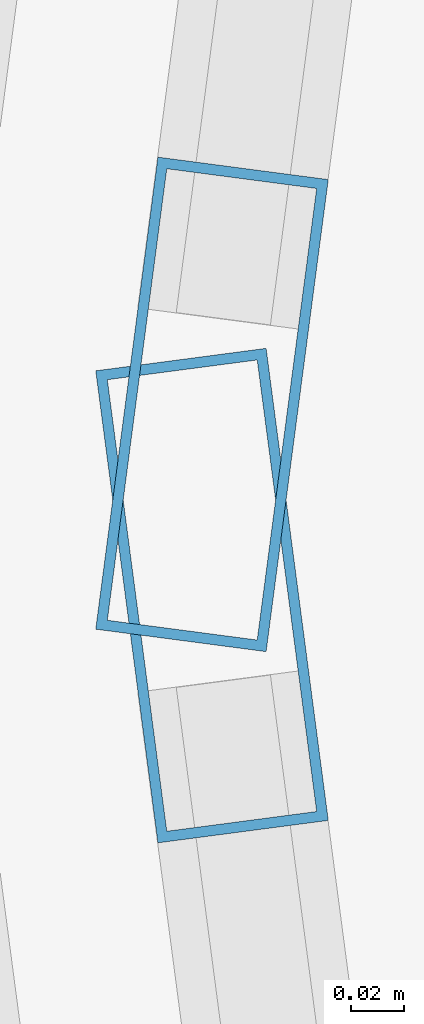
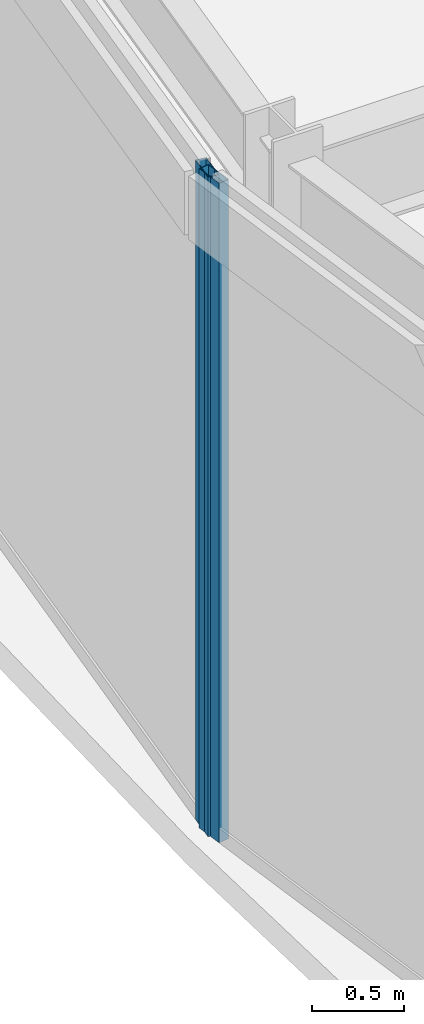
# One storey, part 27 of 133: 2 members, 2 elements without a shape of their own.
"""IFC4 building model written with IfcOpenShell, lengths in metres."""

from ifc_helpers import new_model, si_unit, direction, frame, origin, origin_2d, place, context, subcontext, project, spatial, hollow_rectangle, extrude, material, material_profile, profile_set, type_object, element, aggregate, save


model = new_model("IFC4")

# Units and contexts
model_context = context("Model", 3, precision=1e-05, world=origin(), true_north=direction((0.0, 1.0)))
body_context = subcontext(model_context, "Body", "Model", "MODEL_VIEW")
ifc_project = project(units=[si_unit("LENGTHUNIT", "METRE"), si_unit("AREAUNIT", "SQUARE_METRE"), si_unit("VOLUMEUNIT", "CUBIC_METRE"), si_unit("PLANEANGLEUNIT", "RADIAN"), si_unit("MASSUNIT", "GRAM", prefix="KILO")], contexts=[model_context])

# Site, building, storey
site_placement = place(None, origin())
site = spatial("IfcSite", under=ifc_project, at=site_placement, CompositionType="ELEMENT")
building_placement = place(site_placement, origin())
building = spatial("IfcBuilding", under=site, at=building_placement, Name="Almandine Court Research Institute", CompositionType="ELEMENT")
storey_placement = place(building_placement, frame((0.0, 0.0, 9.800048828125)))
storey = spatial("IfcBuildingStorey", under=building, at=storey_placement, Name="L02", CompositionType="ELEMENT", Elevation=9.800048828125)

# Curtain wall, member
ifc_material_1 = material(Name="Unitised Curtain Wall Framing and Solar Glazing", Category="glass")
curtain_wall_type = type_object("IfcCurtainWallType", Name="CW-CWJ-19", PredefinedType="USERDEFINED", material=ifc_material_1)
curtain_wall_1_placement = place(storey_placement, origin())
curtain_wall_1 = element("IfcCurtainWall", 1, at=curtain_wall_1_placement, inside=storey, type_object=curtain_wall_type, Name="L02 Stacked-Ring Drum Outer Solar Jali Screen 11", ObjectType="SOLAR JALI SCREEN", PredefinedType="USERDEFINED")
ifc_material_2 = material(Name="Anodised Aluminium AW-6063-T6", Category="aluminium")
ifc_material_profile = material_profile(ifc_material_2, hollow_rectangle(XDim=0.06494140625, YDim=0.179931640625, WallThickness=0.00390625, at=origin_2d()), Name="ALU RHS 65x180x4")
ifc_profile_set = profile_set([ifc_material_profile], Name="Anodised Aluminium AW-6063-T6")
member_type = type_object("IfcMemberType", Name="CWMul-65x180", PredefinedType="MULLION", material=ifc_profile_set)
member_1_placement = place(storey_placement, frame((37.644287109375, 56.0361328125, 0.0), z_axis=(0.0, 0.0, 1.0), x_axis=(-0.991442926098, 0.130540891259, 0.0)))
member_1 = element("IfcMember", 2, at=member_1_placement, type_object=member_type, Name="CWJ-19 mullion 1", PredefinedType="MULLION", context=body_context, shape_type="SweptSolid", body=[
    extrude(hollow_rectangle(XDim=0.06494140625, YDim=0.179931640625, WallThickness=0.00390625, at=origin_2d()), origin(), (0.0, 0.0, 1.0), 4.369873046875),
])
aggregate(curtain_wall_1, [member_1])

curtain_wall_2_placement = place(storey_placement, origin())
curtain_wall_2 = element("IfcCurtainWall", 3, at=curtain_wall_2_placement, inside=storey, type_object=curtain_wall_type, Name="L02 Stacked-Ring Drum Outer Solar Jali Screen 12", ObjectType="SOLAR JALI SCREEN", PredefinedType="USERDEFINED")
member_2_placement = place(storey_placement, frame((37.644287109375, 55.9638671875, 0.0), z_axis=(0.0, 0.0, 1.0), x_axis=(-0.991442926098, -0.130540891259, 0.0)))
member_2 = element("IfcMember", 4, at=member_2_placement, type_object=member_type, Name="CWJ-19 mullion 4", PredefinedType="MULLION", context=body_context, shape_type="SweptSolid", body=[
    extrude(hollow_rectangle(XDim=0.06494140625, YDim=0.179931640625, WallThickness=0.00390625, at=origin_2d()), origin(), (0.0, 0.0, 1.0), 4.369873046875),
])
aggregate(curtain_wall_2, [member_2])

save(model, "model.ifc")
